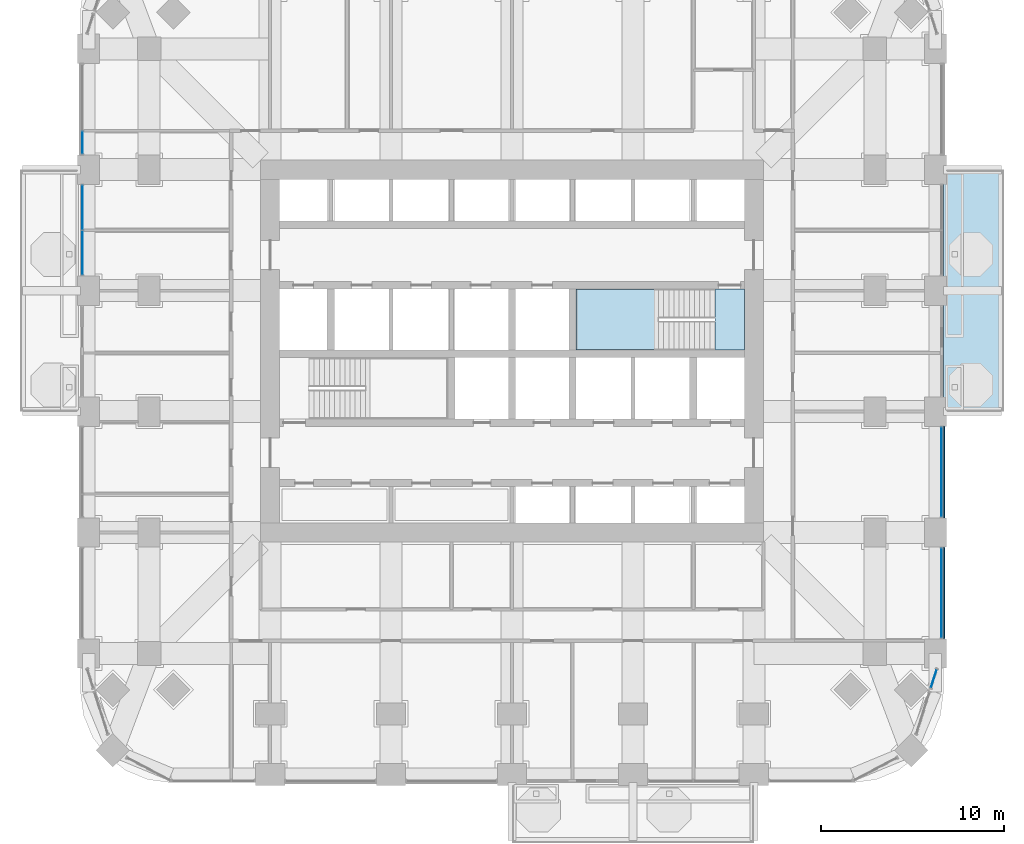
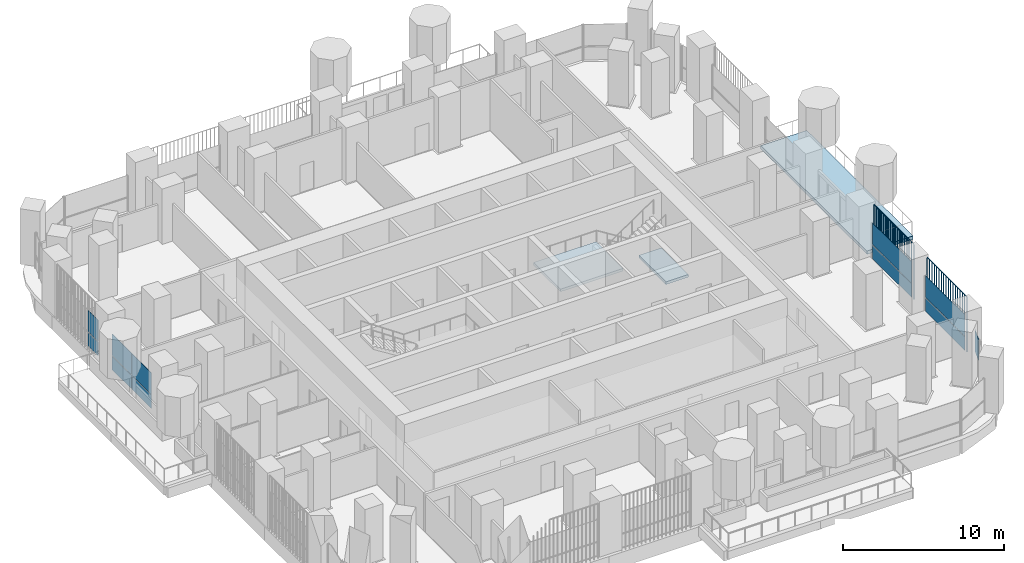
# One storey, part 11 of 23: 13 plates, 3 slabs, 6 elements without a shape of their own.
"""IFC4 building model written with IfcOpenShell, lengths in metres."""

from ifc_helpers import new_model, si_unit, direction, frame, origin, origin_2d, place, context, subcontext, project, spatial, polyline, rectangle, outline, extrude, material, layer, layer_set, type_object, element, aggregate, save


model = new_model("IFC4")

# Units and contexts
model_context = context("Model", 3, precision=1e-05, world=origin(), true_north=direction((0.0, 1.0)))
body_context = subcontext(model_context, "Body", "Model", "MODEL_VIEW")
ifc_project = project(units=[si_unit("LENGTHUNIT", "METRE"), si_unit("AREAUNIT", "SQUARE_METRE"), si_unit("VOLUMEUNIT", "CUBIC_METRE"), si_unit("PLANEANGLEUNIT", "RADIAN"), si_unit("MASSUNIT", "GRAM", prefix="KILO")], contexts=[model_context])

# Site, building, storey
site_placement = place(None, origin())
site = spatial("IfcSite", under=ifc_project, at=site_placement, CompositionType="ELEMENT")
building_placement = place(site_placement, origin())
building = spatial("IfcBuilding", under=site, at=building_placement, Name="Cobogo Forest Laboratory Tower", CompositionType="ELEMENT")
storey_placement = place(building_placement, frame((0.0, 0.0, 103.199951171875)))
storey = spatial("IfcBuildingStorey", under=building, at=storey_placement, Name="L23", CompositionType="ELEMENT", Elevation=103.199951171875)

# Slab
ifc_material_1 = material(Name="Concrete HA-40 (C40/50)", Category="concrete")
ifc_layer_1 = layer(ifc_material_1, 0.25)
ifc_layer_set_1 = layer_set([ifc_layer_1], Name="Balcony slab 250")
slab_type_1 = type_object("IfcSlabType", Name="Balcony slab 250", PredefinedType="FLOOR", material=ifc_layer_set_1)
slab_1_placement = place(storey_placement, frame((0.0, 0.0, -0.25)))
element("IfcSlab", 1, at=slab_1_placement, inside=storey, type_object=slab_type_1, Name="Balcony BAL-E1 L23", PredefinedType="FLOOR", context=body_context, shape_type="SweptSolid", body=[
    extrude(outline(polyline([(49.949951171875, 19.800048828125), (53.25, 19.800048828125), (53.25, 33.0), (49.949951171875, 33.0), (49.949951171875, 19.800048828125)])), origin(), (0.0, 0.0, 1.0), 0.25),
])

# Curtain wall, plate
ifc_material_2 = material(Name="Aluminium curtain wall", Category="aluminium")
curtain_wall_type = type_object("IfcCurtainWallType", Name="CW-1 unitised curtain wall, clear glazing, laboratory floors zones A and B", PredefinedType="USERDEFINED", material=ifc_material_2)
curtain_wall_1_placement = place(storey_placement, origin())
curtain_wall_1 = element("IfcCurtainWall", 2, at=curtain_wall_1_placement, inside=storey, type_object=curtain_wall_type, Name="Curtain wall 09 L23", ObjectType="UNITISED CURTAIN WALL", PredefinedType="USERDEFINED")
ifc_material_3 = material(Name="Clear insulated glass", Category="glass")
ifc_layer_2 = layer(ifc_material_3, 0.028076171875)
ifc_layer_set_2 = layer_set([ifc_layer_2], Name="GP-1 clear insulated glass unit 28")
plate_type_1 = type_object("IfcPlateType", Name="GP-1 clear insulated glass unit 28", PredefinedType="CURTAIN_PANEL", material=ifc_layer_set_2)
plate_1_placement = place(storey_placement, frame((49.41796875, 5.232177734375, 1.080078125), z_axis=(0.0, 0.0, 1.0), x_axis=(0.301135667865, 0.953581307252, 0.0)))
plate_1 = element("IfcPlate", 3, at=plate_1_placement, type_object=plate_type_1, Name="CW-1 panel 1.2", PredefinedType="CURTAIN_PANEL", context=body_context, shape_type="SweptSolid", body=[
    extrude(rectangle(XDim=1.071044921875, YDim=0.028076171875, at=origin_2d()), origin(), (0.0, 0.0, 1.0), 1.6201171875),
])
aggregate(curtain_wall_1, [plate_1])

# Curtain wall, plates
curtain_wall_2_placement = place(storey_placement, origin())
curtain_wall_2 = element("IfcCurtainWall", 4, at=curtain_wall_2_placement, inside=storey, type_object=curtain_wall_type, Name="Curtain wall 10 L23", ObjectType="UNITISED CURTAIN WALL", PredefinedType="USERDEFINED")
plate_2_placement = place(storey_placement, frame((49.85009765625, 9.89990234375, 0.0), z_axis=(0.0, 0.0, 1.0), x_axis=(0.0, 1.0, 0.0)))
plate_2 = element("IfcPlate", 5, at=plate_2_placement, type_object=plate_type_1, Name="CW-1 panel 1.1", PredefinedType="CURTAIN_PANEL", context=body_context, shape_type="SweptSolid", body=[
    extrude(rectangle(XDim=4.8798828125, YDim=0.028076171875, at=origin_2d()), origin(), (0.0, 0.0, 1.0), 1.02001953125),
])
plate_3_placement = place(storey_placement, frame((49.85009765625, 9.89990234375, 1.080078125), z_axis=(0.0, 0.0, 1.0), x_axis=(0.0, 1.0, 0.0)))
plate_3 = element("IfcPlate", 6, at=plate_3_placement, type_object=plate_type_1, Name="CW-1 panel 1.2", PredefinedType="CURTAIN_PANEL", context=body_context, shape_type="SweptSolid", body=[
    extrude(rectangle(XDim=4.8798828125, YDim=0.028076171875, at=origin_2d()), origin(), (0.0, 0.0, 1.0), 1.6201171875),
])
aggregate(curtain_wall_2, [plate_2, plate_3])

curtain_wall_3_placement = place(storey_placement, origin())
curtain_wall_3 = element("IfcCurtainWall", 7, at=curtain_wall_3_placement, inside=storey, type_object=curtain_wall_type, Name="Curtain wall 11 L23", ObjectType="UNITISED CURTAIN WALL", PredefinedType="USERDEFINED")
plate_4_placement = place(storey_placement, frame((49.85009765625, 16.5, 0.0), z_axis=(0.0, 0.0, 1.0), x_axis=(0.0, 1.0, 0.0)))
plate_4 = element("IfcPlate", 8, at=plate_4_placement, type_object=plate_type_1, Name="CW-1 panel 1.1", PredefinedType="CURTAIN_PANEL", context=body_context, shape_type="SweptSolid", body=[
    extrude(rectangle(XDim=4.8798828125, YDim=0.028076171875, at=origin_2d()), origin(), (0.0, 0.0, 1.0), 1.02001953125),
])
plate_5_placement = place(storey_placement, frame((49.85009765625, 16.5, 1.080078125), z_axis=(0.0, 0.0, 1.0), x_axis=(0.0, 1.0, 0.0)))
plate_5 = element("IfcPlate", 9, at=plate_5_placement, type_object=plate_type_1, Name="CW-1 panel 1.2", PredefinedType="CURTAIN_PANEL", context=body_context, shape_type="SweptSolid", body=[
    extrude(rectangle(XDim=4.8798828125, YDim=0.028076171875, at=origin_2d()), origin(), (0.0, 0.0, 1.0), 1.6201171875),
])
aggregate(curtain_wall_3, [plate_4, plate_5])

curtain_wall_4_placement = place(storey_placement, origin())
curtain_wall_4 = element("IfcCurtainWall", 10, at=curtain_wall_4_placement, inside=storey, type_object=curtain_wall_type, Name="Curtain wall 27 L23", ObjectType="UNITISED CURTAIN WALL", PredefinedType="USERDEFINED")
plate_6_placement = place(storey_placement, frame((2.949951171875, 34.4775390625, 0.0), z_axis=(0.0, 0.0, 1.0), x_axis=(0.0, -1.0, 0.0)))
plate_6 = element("IfcPlate", 11, at=plate_6_placement, type_object=plate_type_1, Name="CW-1 panel 2.1", PredefinedType="CURTAIN_PANEL", context=body_context, shape_type="SweptSolid", body=[
    extrude(rectangle(XDim=1.235107421875, YDim=0.028076171875, at=origin_2d()), origin(), (0.0, 0.0, 1.0), 1.02001953125),
])
plate_7_placement = place(storey_placement, frame((2.949951171875, 34.4775390625, 1.080078125), z_axis=(0.0, 0.0, 1.0), x_axis=(0.0, -1.0, 0.0)))
plate_7 = element("IfcPlate", 12, at=plate_7_placement, type_object=plate_type_1, Name="CW-1 panel 2.2", PredefinedType="CURTAIN_PANEL", context=body_context, shape_type="SweptSolid", body=[
    extrude(rectangle(XDim=1.235107421875, YDim=0.028076171875, at=origin_2d()), origin(), (0.0, 0.0, 1.0), 1.6201171875),
])
aggregate(curtain_wall_4, [plate_6, plate_7])

curtain_wall_5_placement = place(storey_placement, origin())
curtain_wall_5 = element("IfcCurtainWall", 13, at=curtain_wall_5_placement, inside=storey, type_object=curtain_wall_type, Name="Curtain wall 28 L23", ObjectType="UNITISED CURTAIN WALL", PredefinedType="USERDEFINED")
plate_8_placement = place(storey_placement, frame((2.949951171875, 30.93505859375, 0.0), z_axis=(0.0, 0.0, 1.0), x_axis=(0.0, -1.0, 0.0)))
plate_8 = element("IfcPlate", 14, at=plate_8_placement, type_object=plate_type_1, Name="CW-1 panel 1.1", PredefinedType="CURTAIN_PANEL", context=body_context, shape_type="SweptSolid", body=[
    extrude(rectangle(XDim=2.409912109375, YDim=0.028076171875, at=origin_2d()), origin(), (0.0, 0.0, 1.0), 1.02001953125),
])
plate_9_placement = place(storey_placement, frame((2.949951171875, 30.93505859375, 1.080078125), z_axis=(0.0, 0.0, 1.0), x_axis=(0.0, -1.0, 0.0)))
plate_9 = element("IfcPlate", 15, at=plate_9_placement, type_object=plate_type_1, Name="CW-1 panel 1.2", PredefinedType="CURTAIN_PANEL", context=body_context, shape_type="SweptSolid", body=[
    extrude(rectangle(XDim=2.409912109375, YDim=0.028076171875, at=origin_2d()), origin(), (0.0, 0.0, 1.0), 1.6201171875),
])
plate_10_placement = place(storey_placement, frame((2.949951171875, 28.465087890625, 0.0), z_axis=(0.0, 0.0, 1.0), x_axis=(0.0, -1.0, 0.0)))
plate_10 = element("IfcPlate", 16, at=plate_10_placement, type_object=plate_type_1, Name="CW-1 panel 2.1", PredefinedType="CURTAIN_PANEL", context=body_context, shape_type="SweptSolid", body=[
    extrude(rectangle(XDim=2.409912109375, YDim=0.028076171875, at=origin_2d()), origin(), (0.0, 0.0, 1.0), 1.02001953125),
])
plate_11_placement = place(storey_placement, frame((2.949951171875, 28.465087890625, 1.080078125), z_axis=(0.0, 0.0, 1.0), x_axis=(0.0, -1.0, 0.0)))
plate_11 = element("IfcPlate", 17, at=plate_11_placement, type_object=plate_type_1, Name="CW-1 panel 2.2", PredefinedType="CURTAIN_PANEL", context=body_context, shape_type="SweptSolid", body=[
    extrude(rectangle(XDim=2.409912109375, YDim=0.028076171875, at=origin_2d()), origin(), (0.0, 0.0, 1.0), 1.6201171875),
])
aggregate(curtain_wall_5, [plate_8, plate_9, plate_10, plate_11])

# Stair, slabs
ifc_material_4 = material(Name="Precast concrete HA-40 (C40/50)", Category="concrete")
stair_type = type_object("IfcStairType", Name="ST24 exit stair 24 risers", PredefinedType="HALF_TURN_STAIR", material=ifc_material_4)
stair_placement = place(storey_placement, origin())
stair = element("IfcStair", 18, at=stair_placement, inside=storey, type_object=stair_type, Name="Stair 2 L23 to L24", PredefinedType="HALF_TURN_STAIR")
ifc_layer_3 = layer(ifc_material_1, 0.199951171875)
ifc_layer_set_3 = layer_set([ifc_layer_3], Name="SL stair landing 200")
slab_type_2 = type_object("IfcSlabType", Name="SL stair landing 200", PredefinedType="LANDING", material=ifc_layer_set_3)
slab_2_placement = place(storey_placement, frame((0.0, 0.0, -0.199951171875)))
slab_2 = element("IfcSlab", 19, at=slab_2_placement, type_object=slab_type_2, Name="ST2 landing 1", PredefinedType="LANDING", context=body_context, shape_type="SweptSolid", body=[
    extrude(outline(polyline([(37.472900390625, 23.14990234375), (39.074951171875, 23.14990234375), (39.074951171875, 26.5), (37.472900390625, 26.5), (37.472900390625, 23.14990234375)])), origin(), (0.0, 0.0, 1.0), 0.199951171875),
])
slab_3_placement = place(storey_placement, frame((0.0, 0.0, 1.900146484375)))
slab_3 = element("IfcSlab", 20, at=slab_3_placement, type_object=slab_type_2, Name="ST2 landing 2", PredefinedType="LANDING", context=body_context, shape_type="SweptSolid", body=[
    extrude(outline(polyline([(29.89990234375, 23.14990234375), (34.39697265625, 23.14990234375), (34.39697265625, 26.5), (29.89990234375, 26.5), (29.89990234375, 23.14990234375)])), origin(), (0.0, 0.0, 1.0), 0.199951171875),
])
aggregate(stair, [slab_2, slab_3])

# Plates
ifc_material_5 = material(Name="Terracotta", Category="masonry")
plate_type_2 = type_object("IfcPlateType", Name="TB1 terracotta baguette screen", PredefinedType="USERDEFINED", material=ifc_material_5)
plate_12_placement = place(storey_placement, frame((49.977783203125, 7.43115234375, -0.14990234375)))
element("IfcPlate", 21, at=plate_12_placement, inside=storey, type_object=plate_type_2, Name="Baguette screen E1 L23", ObjectType="BAGUETTE SCREEN", PredefinedType="USERDEFINED", context=body_context, shape_type="SweptSolid", body=[
    extrude(outline(polyline([(0.02880859375, 0.011962890625), (0.011962890625, 0.02880859375), (-0.011962890625, 0.02880859375), (-0.02880859375, 0.011962890625), (-0.02880859375, -0.011962890625), (-0.011962890625, -0.02880859375), (0.011962890625, -0.02880859375), (0.02880859375, -0.011962890625), (0.02880859375, 0.011962890625)])), frame((0.0, 0.0, 4.168701171875), z_axis=(0.0, 1.0, 0.0), x_axis=(-1.0, 0.0, 0.0)), (0.0, 0.0, 1.0), 4.9375),
    extrude(outline(polyline([(0.02880859375, 0.011962890625), (0.011962890625, 0.02880859375), (-0.011962890625, 0.02880859375), (-0.02880859375, 0.011962890625), (-0.02880859375, -0.011962890625), (-0.011962890625, -0.02880859375), (0.011962890625, -0.02880859375), (0.02880859375, -0.011962890625), (0.02880859375, 0.011962890625)])), origin(), (0.0, 0.0, 1.0), 4.137451171875),
    extrude(outline(polyline([(0.02880859375, 0.011962890625), (0.011962890625, 0.02880859375), (-0.011962890625, 0.02880859375), (-0.02880859375, 0.011962890625), (-0.02880859375, -0.011962890625), (-0.011962890625, -0.02880859375), (0.011962890625, -0.02880859375), (0.02880859375, -0.011962890625), (0.02880859375, 0.011962890625)])), frame((0.0, 0.29052734375, 0.0)), (0.0, 0.0, 1.0), 4.137451171875),
    extrude(outline(polyline([(0.02880859375, 0.011962890625), (0.011962890625, 0.02880859375), (-0.011962890625, 0.02880859375), (-0.02880859375, 0.011962890625), (-0.02880859375, -0.011962890625), (-0.011962890625, -0.02880859375), (0.011962890625, -0.02880859375), (0.02880859375, -0.011962890625), (0.02880859375, 0.011962890625)])), frame((0.0, 0.580810546875, 0.0)), (0.0, 0.0, 1.0), 4.137451171875),
    extrude(outline(polyline([(0.02880859375, 0.011962890625), (0.011962890625, 0.02880859375), (-0.011962890625, 0.02880859375), (-0.02880859375, 0.011962890625), (-0.02880859375, -0.011962890625), (-0.011962890625, -0.02880859375), (0.011962890625, -0.02880859375), (0.02880859375, -0.011962890625), (0.02880859375, 0.011962890625)])), frame((0.0, 0.871337890625, 0.0)), (0.0, 0.0, 1.0), 4.137451171875),
    extrude(outline(polyline([(0.02880859375, 0.011962890625), (0.011962890625, 0.02880859375), (-0.011962890625, 0.02880859375), (-0.02880859375, 0.011962890625), (-0.02880859375, -0.011962890625), (-0.011962890625, -0.02880859375), (0.011962890625, -0.02880859375), (0.02880859375, -0.011962890625), (0.02880859375, 0.011962890625)])), frame((0.0, 1.161865234375, 0.0)), (0.0, 0.0, 1.0), 4.137451171875),
    extrude(outline(polyline([(0.02880859375, 0.011962890625), (0.011962890625, 0.02880859375), (-0.011962890625, 0.02880859375), (-0.02880859375, 0.011962890625), (-0.02880859375, -0.011962890625), (-0.011962890625, -0.02880859375), (0.011962890625, -0.02880859375), (0.02880859375, -0.011962890625), (0.02880859375, 0.011962890625)])), frame((0.0, 1.4521484375, 0.0)), (0.0, 0.0, 1.0), 4.137451171875),
    extrude(outline(polyline([(0.02880859375, 0.011962890625), (0.011962890625, 0.02880859375), (-0.011962890625, 0.02880859375), (-0.02880859375, 0.011962890625), (-0.02880859375, -0.011962890625), (-0.011962890625, -0.02880859375), (0.011962890625, -0.02880859375), (0.02880859375, -0.011962890625), (0.02880859375, 0.011962890625)])), frame((0.0, 1.74267578125, 0.0)), (0.0, 0.0, 1.0), 4.137451171875),
    extrude(outline(polyline([(0.02880859375, 0.011962890625), (0.011962890625, 0.02880859375), (-0.011962890625, 0.02880859375), (-0.02880859375, 0.011962890625), (-0.02880859375, -0.011962890625), (-0.011962890625, -0.02880859375), (0.011962890625, -0.02880859375), (0.02880859375, -0.011962890625), (0.02880859375, 0.011962890625)])), frame((0.0, 2.033203125, 0.0)), (0.0, 0.0, 1.0), 4.137451171875),
    extrude(outline(polyline([(0.02880859375, 0.011962890625), (0.011962890625, 0.02880859375), (-0.011962890625, 0.02880859375), (-0.02880859375, 0.011962890625), (-0.02880859375, -0.011962890625), (-0.011962890625, -0.02880859375), (0.011962890625, -0.02880859375), (0.02880859375, -0.011962890625), (0.02880859375, 0.011962890625)])), frame((0.0, 2.323486328125, 0.0)), (0.0, 0.0, 1.0), 4.137451171875),
    extrude(outline(polyline([(0.02880859375, 0.011962890625), (0.011962890625, 0.02880859375), (-0.011962890625, 0.02880859375), (-0.02880859375, 0.011962890625), (-0.02880859375, -0.011962890625), (-0.011962890625, -0.02880859375), (0.011962890625, -0.02880859375), (0.02880859375, -0.011962890625), (0.02880859375, 0.011962890625)])), frame((0.0, 2.614013671875, 0.0)), (0.0, 0.0, 1.0), 4.137451171875),
    extrude(outline(polyline([(0.02880859375, 0.011962890625), (0.011962890625, 0.02880859375), (-0.011962890625, 0.02880859375), (-0.02880859375, 0.011962890625), (-0.02880859375, -0.011962890625), (-0.011962890625, -0.02880859375), (0.011962890625, -0.02880859375), (0.02880859375, -0.011962890625), (0.02880859375, 0.011962890625)])), frame((0.0, 2.904296875, 0.0)), (0.0, 0.0, 1.0), 4.137451171875),
    extrude(outline(polyline([(0.02880859375, 0.011962890625), (0.011962890625, 0.02880859375), (-0.011962890625, 0.02880859375), (-0.02880859375, 0.011962890625), (-0.02880859375, -0.011962890625), (-0.011962890625, -0.02880859375), (0.011962890625, -0.02880859375), (0.02880859375, -0.011962890625), (0.02880859375, 0.011962890625)])), frame((0.0, 3.19482421875, 0.0)), (0.0, 0.0, 1.0), 4.137451171875),
    extrude(outline(polyline([(0.02880859375, 0.011962890625), (0.011962890625, 0.02880859375), (-0.011962890625, 0.02880859375), (-0.02880859375, 0.011962890625), (-0.02880859375, -0.011962890625), (-0.011962890625, -0.02880859375), (0.011962890625, -0.02880859375), (0.02880859375, -0.011962890625), (0.02880859375, 0.011962890625)])), frame((0.0, 3.4853515625, 0.0)), (0.0, 0.0, 1.0), 4.137451171875),
    extrude(outline(polyline([(0.02880859375, 0.011962890625), (0.011962890625, 0.02880859375), (-0.011962890625, 0.02880859375), (-0.02880859375, 0.011962890625), (-0.02880859375, -0.011962890625), (-0.011962890625, -0.02880859375), (0.011962890625, -0.02880859375), (0.02880859375, -0.011962890625), (0.02880859375, 0.011962890625)])), frame((0.0, 3.775634765625, 0.0)), (0.0, 0.0, 1.0), 4.137451171875),
    extrude(outline(polyline([(0.02880859375, 0.011962890625), (0.011962890625, 0.02880859375), (-0.011962890625, 0.02880859375), (-0.02880859375, 0.011962890625), (-0.02880859375, -0.011962890625), (-0.011962890625, -0.02880859375), (0.011962890625, -0.02880859375), (0.02880859375, -0.011962890625), (0.02880859375, 0.011962890625)])), frame((0.0, 4.066162109375, 0.0)), (0.0, 0.0, 1.0), 4.137451171875),
    extrude(outline(polyline([(0.02880859375, 0.011962890625), (0.011962890625, 0.02880859375), (-0.011962890625, 0.02880859375), (-0.02880859375, 0.011962890625), (-0.02880859375, -0.011962890625), (-0.011962890625, -0.02880859375), (0.011962890625, -0.02880859375), (0.02880859375, -0.011962890625), (0.02880859375, 0.011962890625)])), frame((0.0, 4.356689453125, 0.0)), (0.0, 0.0, 1.0), 4.137451171875),
    extrude(outline(polyline([(0.02880859375, 0.011962890625), (0.011962890625, 0.02880859375), (-0.011962890625, 0.02880859375), (-0.02880859375, 0.011962890625), (-0.02880859375, -0.011962890625), (-0.011962890625, -0.02880859375), (0.011962890625, -0.02880859375), (0.02880859375, -0.011962890625), (0.02880859375, 0.011962890625)])), frame((0.0, 4.64697265625, 0.0)), (0.0, 0.0, 1.0), 4.137451171875),
    extrude(outline(polyline([(0.02880859375, 0.011962890625), (0.011962890625, 0.02880859375), (-0.011962890625, 0.02880859375), (-0.02880859375, 0.011962890625), (-0.02880859375, -0.011962890625), (-0.011962890625, -0.02880859375), (0.011962890625, -0.02880859375), (0.02880859375, -0.011962890625), (0.02880859375, 0.011962890625)])), frame((0.0, 4.9375, 0.0)), (0.0, 0.0, 1.0), 4.137451171875),
])
plate_13_placement = place(storey_placement, frame((49.977783203125, 14.03125, -0.14990234375)))
element("IfcPlate", 22, at=plate_13_placement, inside=storey, type_object=plate_type_2, Name="Baguette screen E2 L23", ObjectType="BAGUETTE SCREEN", PredefinedType="USERDEFINED", context=body_context, shape_type="SweptSolid", body=[
    extrude(outline(polyline([(0.02880859375, 0.011962890625), (0.011962890625, 0.02880859375), (-0.011962890625, 0.02880859375), (-0.02880859375, 0.011962890625), (-0.02880859375, -0.011962890625), (-0.011962890625, -0.02880859375), (0.011962890625, -0.02880859375), (0.02880859375, -0.011962890625), (0.02880859375, 0.011962890625)])), frame((0.0, 0.0, 4.168701171875), z_axis=(0.0, 1.0, 0.0), x_axis=(-1.0, 0.0, 0.0)), (0.0, 0.0, 1.0), 4.9375),
    extrude(outline(polyline([(0.02880859375, 0.011962890625), (0.011962890625, 0.02880859375), (-0.011962890625, 0.02880859375), (-0.02880859375, 0.011962890625), (-0.02880859375, -0.011962890625), (-0.011962890625, -0.02880859375), (0.011962890625, -0.02880859375), (0.02880859375, -0.011962890625), (0.02880859375, 0.011962890625)])), origin(), (0.0, 0.0, 1.0), 4.137451171875),
    extrude(outline(polyline([(0.02880859375, 0.011962890625), (0.011962890625, 0.02880859375), (-0.011962890625, 0.02880859375), (-0.02880859375, 0.011962890625), (-0.02880859375, -0.011962890625), (-0.011962890625, -0.02880859375), (0.011962890625, -0.02880859375), (0.02880859375, -0.011962890625), (0.02880859375, 0.011962890625)])), frame((0.0, 0.29052734375, 0.0)), (0.0, 0.0, 1.0), 4.137451171875),
    extrude(outline(polyline([(0.02880859375, 0.011962890625), (0.011962890625, 0.02880859375), (-0.011962890625, 0.02880859375), (-0.02880859375, 0.011962890625), (-0.02880859375, -0.011962890625), (-0.011962890625, -0.02880859375), (0.011962890625, -0.02880859375), (0.02880859375, -0.011962890625), (0.02880859375, 0.011962890625)])), frame((0.0, 0.580810546875, 0.0)), (0.0, 0.0, 1.0), 4.137451171875),
    extrude(outline(polyline([(0.02880859375, 0.011962890625), (0.011962890625, 0.02880859375), (-0.011962890625, 0.02880859375), (-0.02880859375, 0.011962890625), (-0.02880859375, -0.011962890625), (-0.011962890625, -0.02880859375), (0.011962890625, -0.02880859375), (0.02880859375, -0.011962890625), (0.02880859375, 0.011962890625)])), frame((0.0, 0.871337890625, 0.0)), (0.0, 0.0, 1.0), 4.137451171875),
    extrude(outline(polyline([(0.02880859375, 0.011962890625), (0.011962890625, 0.02880859375), (-0.011962890625, 0.02880859375), (-0.02880859375, 0.011962890625), (-0.02880859375, -0.011962890625), (-0.011962890625, -0.02880859375), (0.011962890625, -0.02880859375), (0.02880859375, -0.011962890625), (0.02880859375, 0.011962890625)])), frame((0.0, 1.161865234375, 0.0)), (0.0, 0.0, 1.0), 4.137451171875),
    extrude(outline(polyline([(0.02880859375, 0.011962890625), (0.011962890625, 0.02880859375), (-0.011962890625, 0.02880859375), (-0.02880859375, 0.011962890625), (-0.02880859375, -0.011962890625), (-0.011962890625, -0.02880859375), (0.011962890625, -0.02880859375), (0.02880859375, -0.011962890625), (0.02880859375, 0.011962890625)])), frame((0.0, 1.4521484375, 0.0)), (0.0, 0.0, 1.0), 4.137451171875),
    extrude(outline(polyline([(0.02880859375, 0.011962890625), (0.011962890625, 0.02880859375), (-0.011962890625, 0.02880859375), (-0.02880859375, 0.011962890625), (-0.02880859375, -0.011962890625), (-0.011962890625, -0.02880859375), (0.011962890625, -0.02880859375), (0.02880859375, -0.011962890625), (0.02880859375, 0.011962890625)])), frame((0.0, 1.74267578125, 0.0)), (0.0, 0.0, 1.0), 4.137451171875),
    extrude(outline(polyline([(0.02880859375, 0.011962890625), (0.011962890625, 0.02880859375), (-0.011962890625, 0.02880859375), (-0.02880859375, 0.011962890625), (-0.02880859375, -0.011962890625), (-0.011962890625, -0.02880859375), (0.011962890625, -0.02880859375), (0.02880859375, -0.011962890625), (0.02880859375, 0.011962890625)])), frame((0.0, 2.033203125, 0.0)), (0.0, 0.0, 1.0), 4.137451171875),
    extrude(outline(polyline([(0.02880859375, 0.011962890625), (0.011962890625, 0.02880859375), (-0.011962890625, 0.02880859375), (-0.02880859375, 0.011962890625), (-0.02880859375, -0.011962890625), (-0.011962890625, -0.02880859375), (0.011962890625, -0.02880859375), (0.02880859375, -0.011962890625), (0.02880859375, 0.011962890625)])), frame((0.0, 2.323486328125, 0.0)), (0.0, 0.0, 1.0), 4.137451171875),
    extrude(outline(polyline([(0.02880859375, 0.011962890625), (0.011962890625, 0.02880859375), (-0.011962890625, 0.02880859375), (-0.02880859375, 0.011962890625), (-0.02880859375, -0.011962890625), (-0.011962890625, -0.02880859375), (0.011962890625, -0.02880859375), (0.02880859375, -0.011962890625), (0.02880859375, 0.011962890625)])), frame((0.0, 2.614013671875, 0.0)), (0.0, 0.0, 1.0), 4.137451171875),
    extrude(outline(polyline([(0.02880859375, 0.011962890625), (0.011962890625, 0.02880859375), (-0.011962890625, 0.02880859375), (-0.02880859375, 0.011962890625), (-0.02880859375, -0.011962890625), (-0.011962890625, -0.02880859375), (0.011962890625, -0.02880859375), (0.02880859375, -0.011962890625), (0.02880859375, 0.011962890625)])), frame((0.0, 2.904296875, 0.0)), (0.0, 0.0, 1.0), 4.137451171875),
    extrude(outline(polyline([(0.02880859375, 0.011962890625), (0.011962890625, 0.02880859375), (-0.011962890625, 0.02880859375), (-0.02880859375, 0.011962890625), (-0.02880859375, -0.011962890625), (-0.011962890625, -0.02880859375), (0.011962890625, -0.02880859375), (0.02880859375, -0.011962890625), (0.02880859375, 0.011962890625)])), frame((0.0, 3.19482421875, 0.0)), (0.0, 0.0, 1.0), 4.137451171875),
    extrude(outline(polyline([(0.02880859375, 0.011962890625), (0.011962890625, 0.02880859375), (-0.011962890625, 0.02880859375), (-0.02880859375, 0.011962890625), (-0.02880859375, -0.011962890625), (-0.011962890625, -0.02880859375), (0.011962890625, -0.02880859375), (0.02880859375, -0.011962890625), (0.02880859375, 0.011962890625)])), frame((0.0, 3.4853515625, 0.0)), (0.0, 0.0, 1.0), 4.137451171875),
    extrude(outline(polyline([(0.02880859375, 0.011962890625), (0.011962890625, 0.02880859375), (-0.011962890625, 0.02880859375), (-0.02880859375, 0.011962890625), (-0.02880859375, -0.011962890625), (-0.011962890625, -0.02880859375), (0.011962890625, -0.02880859375), (0.02880859375, -0.011962890625), (0.02880859375, 0.011962890625)])), frame((0.0, 3.775634765625, 0.0)), (0.0, 0.0, 1.0), 4.137451171875),
    extrude(outline(polyline([(0.02880859375, 0.011962890625), (0.011962890625, 0.02880859375), (-0.011962890625, 0.02880859375), (-0.02880859375, 0.011962890625), (-0.02880859375, -0.011962890625), (-0.011962890625, -0.02880859375), (0.011962890625, -0.02880859375), (0.02880859375, -0.011962890625), (0.02880859375, 0.011962890625)])), frame((0.0, 4.066162109375, 0.0)), (0.0, 0.0, 1.0), 4.137451171875),
    extrude(outline(polyline([(0.02880859375, 0.011962890625), (0.011962890625, 0.02880859375), (-0.011962890625, 0.02880859375), (-0.02880859375, 0.011962890625), (-0.02880859375, -0.011962890625), (-0.011962890625, -0.02880859375), (0.011962890625, -0.02880859375), (0.02880859375, -0.011962890625), (0.02880859375, 0.011962890625)])), frame((0.0, 4.356689453125, 0.0)), (0.0, 0.0, 1.0), 4.137451171875),
    extrude(outline(polyline([(0.02880859375, 0.011962890625), (0.011962890625, 0.02880859375), (-0.011962890625, 0.02880859375), (-0.02880859375, 0.011962890625), (-0.02880859375, -0.011962890625), (-0.011962890625, -0.02880859375), (0.011962890625, -0.02880859375), (0.02880859375, -0.011962890625), (0.02880859375, 0.011962890625)])), frame((0.0, 4.64697265625, 0.0)), (0.0, 0.0, 1.0), 4.137451171875),
    extrude(outline(polyline([(0.02880859375, 0.011962890625), (0.011962890625, 0.02880859375), (-0.011962890625, 0.02880859375), (-0.02880859375, 0.011962890625), (-0.02880859375, -0.011962890625), (-0.011962890625, -0.02880859375), (0.011962890625, -0.02880859375), (0.02880859375, -0.011962890625), (0.02880859375, 0.011962890625)])), frame((0.0, 4.9375, 0.0)), (0.0, 0.0, 1.0), 4.137451171875),
])

save(model, "model.ifc")
